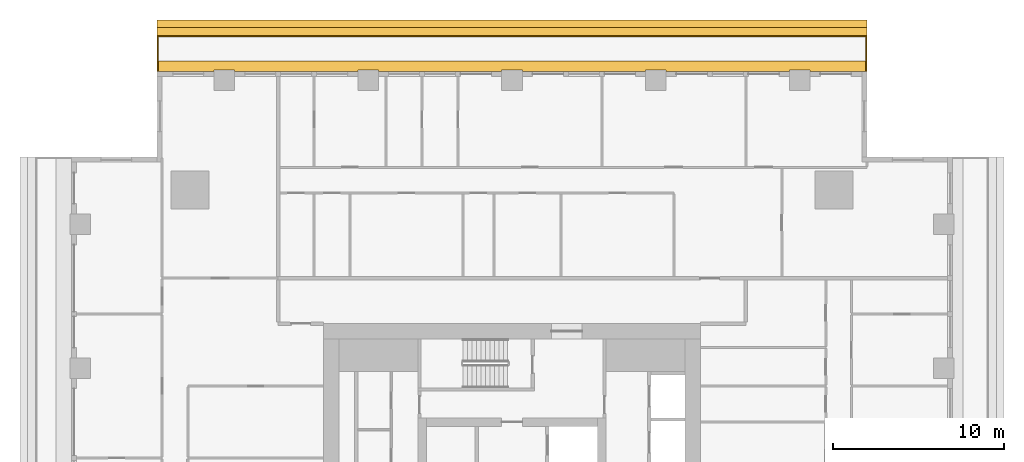
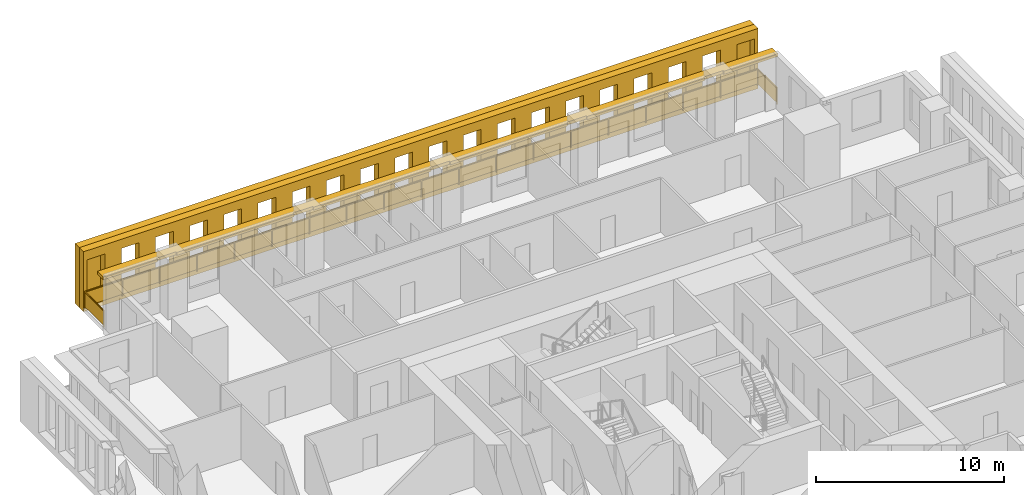
# One storey, part 14 of 14: 3 shading devices, 1 railing.
"""IFC4 building model written with IfcOpenShell, lengths in metres."""

from ifc_helpers import new_model, si_unit, direction, frame, origin, origin_2d, place, context, subcontext, project, spatial, polyline, rectangle, outline, extrude, material, layer, layer_set, type_object, element, save


model = new_model("IFC4")

# Units and contexts
model_context = context("Model", 3, precision=1e-05, world=origin(), true_north=direction((0.0, 1.0)))
body_context = subcontext(model_context, "Body", "Model", "MODEL_VIEW")
ifc_project = project(units=[si_unit("LENGTHUNIT", "METRE"), si_unit("AREAUNIT", "SQUARE_METRE"), si_unit("VOLUMEUNIT", "CUBIC_METRE"), si_unit("PLANEANGLEUNIT", "RADIAN"), si_unit("MASSUNIT", "GRAM", prefix="KILO")], contexts=[model_context])

# Site, building, storey
site_placement = place(None, origin())
site = spatial("IfcSite", under=ifc_project, at=site_placement, CompositionType="ELEMENT")
building_placement = place(site_placement, origin())
building = spatial("IfcBuilding", under=site, at=building_placement, Name="Khepri Terraces", CompositionType="ELEMENT")
storey_placement = place(building_placement, frame((0.0, 0.0, 264.0)))
storey = spatial("IfcBuildingStorey", under=building, at=storey_placement, Name="L63", CompositionType="ELEMENT", Elevation=264.0)

# Railing
ifc_material_1 = material(Name="Stainless steel grade 316", Category="steel")
railing_type = type_object("IfcRailingType", Name="GRD-BAL-1100", PredefinedType="GUARDRAIL", material=ifc_material_1)
railing_placement = place(storey_placement, frame((20.669921875, 25.719970703125, 0.0)))
element("IfcRailing", 1, at=railing_placement, inside=storey, type_object=railing_type, Name="Balcony guard L63 N", PredefinedType="GUARDRAIL", context=body_context, shape_type="SweptSolid", body=[
    extrude(rectangle(XDim=0.050048828125, YDim=0.06005859375, at=origin_2d()), frame((0.0, 0.0, 1.070068359375), z_axis=(0.0, 1.0, 0.0), x_axis=(-1.0, 0.0, 0.0)), (0.0, 0.0, 1.0), 2.050048828125),
    extrude(rectangle(XDim=2.0, YDim=0.011962890625, at=origin_2d()), frame((0.0, 1.02490234375, 0.10009765625), z_axis=(0.0, 0.0, 1.0), x_axis=(0.0, 1.0, 0.0)), (0.0, 0.0, 1.0), 0.93994140625),
    extrude(rectangle(XDim=0.050048828125, YDim=0.06005859375, at=origin_2d()), frame((0.0, 2.050048828125, 1.070068359375), z_axis=(-1.0, 0.0, 0.0), x_axis=(0.0, -1.0, 0.0)), (0.0, 0.0, 1.0), 41.33984375),
    extrude(rectangle(XDim=2.24658203125, YDim=0.011962890625, at=origin_2d()), frame((-1.1484375, 2.050048828125, 0.10009765625), z_axis=(0.0, 0.0, 1.0), x_axis=(-1.0, 0.0, 0.0)), (0.0, 0.0, 1.0), 0.93994140625),
    extrude(rectangle(XDim=2.24658203125, YDim=0.011962890625, at=origin_2d()), frame((-3.445068359375, 2.050048828125, 0.10009765625), z_axis=(0.0, 0.0, 1.0), x_axis=(-1.0, 0.0, 0.0)), (0.0, 0.0, 1.0), 0.93994140625),
    extrude(rectangle(XDim=2.24658203125, YDim=0.011962890625, at=origin_2d()), frame((-5.74169921875, 2.050048828125, 0.10009765625), z_axis=(0.0, 0.0, 1.0), x_axis=(-1.0, 0.0, 0.0)), (0.0, 0.0, 1.0), 0.93994140625),
    extrude(rectangle(XDim=2.24658203125, YDim=0.011962890625, at=origin_2d()), frame((-8.038330078125, 2.050048828125, 0.10009765625), z_axis=(0.0, 0.0, 1.0), x_axis=(-1.0, 0.0, 0.0)), (0.0, 0.0, 1.0), 0.93994140625),
    extrude(rectangle(XDim=2.24658203125, YDim=0.011962890625, at=origin_2d()), frame((-10.3349609375, 2.050048828125, 0.10009765625), z_axis=(0.0, 0.0, 1.0), x_axis=(-1.0, 0.0, 0.0)), (0.0, 0.0, 1.0), 0.93994140625),
    extrude(rectangle(XDim=2.24658203125, YDim=0.011962890625, at=origin_2d()), frame((-12.631591796875, 2.050048828125, 0.10009765625), z_axis=(0.0, 0.0, 1.0), x_axis=(-1.0, 0.0, 0.0)), (0.0, 0.0, 1.0), 0.93994140625),
    extrude(rectangle(XDim=2.24658203125, YDim=0.011962890625, at=origin_2d()), frame((-14.92822265625, 2.050048828125, 0.10009765625), z_axis=(0.0, 0.0, 1.0), x_axis=(-1.0, 0.0, 0.0)), (0.0, 0.0, 1.0), 0.93994140625),
    extrude(rectangle(XDim=2.24658203125, YDim=0.011962890625, at=origin_2d()), frame((-17.224853515625, 2.050048828125, 0.10009765625), z_axis=(0.0, 0.0, 1.0), x_axis=(-1.0, 0.0, 0.0)), (0.0, 0.0, 1.0), 0.93994140625),
    extrude(rectangle(XDim=2.24658203125, YDim=0.011962890625, at=origin_2d()), frame((-19.521484375, 2.050048828125, 0.10009765625), z_axis=(0.0, 0.0, 1.0), x_axis=(-1.0, 0.0, 0.0)), (0.0, 0.0, 1.0), 0.93994140625),
    extrude(rectangle(XDim=2.24658203125, YDim=0.011962890625, at=origin_2d()), frame((-21.818359375, 2.050048828125, 0.10009765625), z_axis=(0.0, 0.0, 1.0), x_axis=(-1.0, 0.0, 0.0)), (0.0, 0.0, 1.0), 0.93994140625),
    extrude(rectangle(XDim=2.24658203125, YDim=0.011962890625, at=origin_2d()), frame((-24.114990234375, 2.050048828125, 0.10009765625), z_axis=(0.0, 0.0, 1.0), x_axis=(-1.0, 0.0, 0.0)), (0.0, 0.0, 1.0), 0.93994140625),
    extrude(rectangle(XDim=2.24658203125, YDim=0.011962890625, at=origin_2d()), frame((-26.41162109375, 2.050048828125, 0.10009765625), z_axis=(0.0, 0.0, 1.0), x_axis=(-1.0, 0.0, 0.0)), (0.0, 0.0, 1.0), 0.93994140625),
    extrude(rectangle(XDim=2.24658203125, YDim=0.011962890625, at=origin_2d()), frame((-28.708251953125, 2.050048828125, 0.10009765625), z_axis=(0.0, 0.0, 1.0), x_axis=(-1.0, 0.0, 0.0)), (0.0, 0.0, 1.0), 0.93994140625),
    extrude(rectangle(XDim=2.24658203125, YDim=0.011962890625, at=origin_2d()), frame((-31.0048828125, 2.050048828125, 0.10009765625), z_axis=(0.0, 0.0, 1.0), x_axis=(-1.0, 0.0, 0.0)), (0.0, 0.0, 1.0), 0.93994140625),
    extrude(rectangle(XDim=2.24658203125, YDim=0.011962890625, at=origin_2d()), frame((-33.301513671875, 2.050048828125, 0.10009765625), z_axis=(0.0, 0.0, 1.0), x_axis=(-1.0, 0.0, 0.0)), (0.0, 0.0, 1.0), 0.93994140625),
    extrude(rectangle(XDim=2.24658203125, YDim=0.011962890625, at=origin_2d()), frame((-35.59814453125, 2.050048828125, 0.10009765625), z_axis=(0.0, 0.0, 1.0), x_axis=(-1.0, 0.0, 0.0)), (0.0, 0.0, 1.0), 0.93994140625),
    extrude(rectangle(XDim=2.24658203125, YDim=0.011962890625, at=origin_2d()), frame((-37.894775390625, 2.050048828125, 0.10009765625), z_axis=(0.0, 0.0, 1.0), x_axis=(-1.0, 0.0, 0.0)), (0.0, 0.0, 1.0), 0.93994140625),
    extrude(rectangle(XDim=2.24658203125, YDim=0.011962890625, at=origin_2d()), frame((-40.19140625, 2.050048828125, 0.10009765625), z_axis=(0.0, 0.0, 1.0), x_axis=(-1.0, 0.0, 0.0)), (0.0, 0.0, 1.0), 0.93994140625),
    extrude(rectangle(XDim=0.050048828125, YDim=0.06005859375, at=origin_2d()), frame((-41.33984375, 2.050048828125, 1.070068359375), z_axis=(0.0, -1.0, 0.0), x_axis=(1.0, 0.0, 0.0)), (0.0, 0.0, 1.0), 2.050048828125),
    extrude(rectangle(XDim=2.0, YDim=0.011962890625, at=origin_2d()), frame((-41.33984375, 1.02490234375, 0.10009765625), z_axis=(0.0, 0.0, 1.0), x_axis=(0.0, -1.0, 0.0)), (0.0, 0.0, 1.0), 0.93994140625),
    extrude(rectangle(XDim=0.050048828125, YDim=0.050048828125, at=origin_2d()), origin(), (0.0, 0.0, 1.0), 1.0400390625),
    extrude(rectangle(XDim=0.050048828125, YDim=0.050048828125, at=origin_2d()), frame((0.0, 2.050048828125, 0.0)), (0.0, 0.0, 1.0), 1.0400390625),
    extrude(rectangle(XDim=0.050048828125, YDim=0.050048828125, at=origin_2d()), frame((-2.296630859375, 2.050048828125, 0.0)), (0.0, 0.0, 1.0), 1.0400390625),
    extrude(rectangle(XDim=0.050048828125, YDim=0.050048828125, at=origin_2d()), frame((-4.59326171875, 2.050048828125, 0.0)), (0.0, 0.0, 1.0), 1.0400390625),
    extrude(rectangle(XDim=0.050048828125, YDim=0.050048828125, at=origin_2d()), frame((-6.889892578125, 2.050048828125, 0.0)), (0.0, 0.0, 1.0), 1.0400390625),
    extrude(rectangle(XDim=0.050048828125, YDim=0.050048828125, at=origin_2d()), frame((-9.1865234375, 2.050048828125, 0.0)), (0.0, 0.0, 1.0), 1.0400390625),
    extrude(rectangle(XDim=0.050048828125, YDim=0.050048828125, at=origin_2d()), frame((-11.4833984375, 2.050048828125, 0.0)), (0.0, 0.0, 1.0), 1.0400390625),
    extrude(rectangle(XDim=0.050048828125, YDim=0.050048828125, at=origin_2d()), frame((-13.780029296875, 2.050048828125, 0.0)), (0.0, 0.0, 1.0), 1.0400390625),
    extrude(rectangle(XDim=0.050048828125, YDim=0.050048828125, at=origin_2d()), frame((-16.07666015625, 2.050048828125, 0.0)), (0.0, 0.0, 1.0), 1.0400390625),
    extrude(rectangle(XDim=0.050048828125, YDim=0.050048828125, at=origin_2d()), frame((-18.373291015625, 2.050048828125, 0.0)), (0.0, 0.0, 1.0), 1.0400390625),
    extrude(rectangle(XDim=0.050048828125, YDim=0.050048828125, at=origin_2d()), frame((-20.669921875, 2.050048828125, 0.0)), (0.0, 0.0, 1.0), 1.0400390625),
    extrude(rectangle(XDim=0.050048828125, YDim=0.050048828125, at=origin_2d()), frame((-22.966552734375, 2.050048828125, 0.0)), (0.0, 0.0, 1.0), 1.0400390625),
    extrude(rectangle(XDim=0.050048828125, YDim=0.050048828125, at=origin_2d()), frame((-25.26318359375, 2.050048828125, 0.0)), (0.0, 0.0, 1.0), 1.0400390625),
    extrude(rectangle(XDim=0.050048828125, YDim=0.050048828125, at=origin_2d()), frame((-27.559814453125, 2.050048828125, 0.0)), (0.0, 0.0, 1.0), 1.0400390625),
    extrude(rectangle(XDim=0.050048828125, YDim=0.050048828125, at=origin_2d()), frame((-29.8564453125, 2.050048828125, 0.0)), (0.0, 0.0, 1.0), 1.0400390625),
    extrude(rectangle(XDim=0.050048828125, YDim=0.050048828125, at=origin_2d()), frame((-32.1533203125, 2.050048828125, 0.0)), (0.0, 0.0, 1.0), 1.0400390625),
    extrude(rectangle(XDim=0.050048828125, YDim=0.050048828125, at=origin_2d()), frame((-34.449951171875, 2.050048828125, 0.0)), (0.0, 0.0, 1.0), 1.0400390625),
    extrude(rectangle(XDim=0.050048828125, YDim=0.050048828125, at=origin_2d()), frame((-36.74658203125, 2.050048828125, 0.0)), (0.0, 0.0, 1.0), 1.0400390625),
    extrude(rectangle(XDim=0.050048828125, YDim=0.050048828125, at=origin_2d()), frame((-39.043212890625, 2.050048828125, 0.0)), (0.0, 0.0, 1.0), 1.0400390625),
    extrude(rectangle(XDim=0.050048828125, YDim=0.050048828125, at=origin_2d()), frame((-41.33984375, 2.050048828125, 0.0)), (0.0, 0.0, 1.0), 1.0400390625),
    extrude(rectangle(XDim=0.050048828125, YDim=0.050048828125, at=origin_2d()), frame((-41.33984375, 0.0, 0.0)), (0.0, 0.0, 1.0), 1.0400390625),
])

# Shading devices
ifc_material_2 = material(Name="Precast concrete C50/60 warm stone", Category="masonry")
shading_device_type_1 = type_object("IfcShadingDeviceType", Name="SCR-CELL-INNER-450", PredefinedType="USERDEFINED", material=ifc_material_2)
shading_device_1_placement = place(storey_placement, frame((20.719970703125, 27.820068359375, -0.25), z_axis=(0.0, 1.0, 0.0), x_axis=(-1.0, 0.0, 0.0)))
element("IfcShadingDevice", 2, at=shading_device_1_placement, inside=storey, type_object=shading_device_type_1, Name="Cell screen L63 N in", ObjectType="SCREEN", PredefinedType="USERDEFINED", context=body_context, shape_type="SweptSolid", body=[
    extrude(outline(polyline([(0.0, 0.0), (41.43994140625, 0.0), (41.43994140625, 3.89990234375), (0.0, 3.89990234375), (0.0, 0.0)]), holes=[polyline([(0.2265625, 0.699951171875), (1.3134765625, 0.699951171875), (1.3134765625, 3.300048828125), (0.2265625, 3.300048828125), (0.2265625, 0.699951171875)]), polyline([(2.32666015625, 0.699951171875), (3.413330078125, 0.699951171875), (3.413330078125, 3.300048828125), (2.32666015625, 3.300048828125), (2.32666015625, 0.699951171875)]), polyline([(4.426513671875, 0.699951171875), (5.513427734375, 0.699951171875), (5.513427734375, 3.300048828125), (4.426513671875, 3.300048828125), (4.426513671875, 0.699951171875)]), polyline([(6.526611328125, 0.699951171875), (7.61328125, 0.699951171875), (7.61328125, 3.300048828125), (6.526611328125, 3.300048828125), (6.526611328125, 0.699951171875)]), polyline([(8.626708984375, 0.699951171875), (9.71337890625, 0.699951171875), (9.71337890625, 3.300048828125), (8.626708984375, 3.300048828125), (8.626708984375, 0.699951171875)]), polyline([(10.7265625, 0.699951171875), (11.8134765625, 0.699951171875), (11.8134765625, 3.300048828125), (10.7265625, 3.300048828125), (10.7265625, 0.699951171875)]), polyline([(12.82666015625, 0.699951171875), (13.913330078125, 0.699951171875), (13.913330078125, 3.300048828125), (12.82666015625, 3.300048828125), (12.82666015625, 0.699951171875)]), polyline([(14.926513671875, 0.699951171875), (16.013427734375, 0.699951171875), (16.013427734375, 3.300048828125), (14.926513671875, 3.300048828125), (14.926513671875, 0.699951171875)]), polyline([(17.026611328125, 0.699951171875), (18.11328125, 0.699951171875), (18.11328125, 3.300048828125), (17.026611328125, 3.300048828125), (17.026611328125, 0.699951171875)]), polyline([(19.126708984375, 0.699951171875), (20.21337890625, 0.699951171875), (20.21337890625, 3.300048828125), (19.126708984375, 3.300048828125), (19.126708984375, 0.699951171875)]), polyline([(21.2265625, 0.699951171875), (22.3134765625, 0.699951171875), (22.3134765625, 3.300048828125), (21.2265625, 3.300048828125), (21.2265625, 0.699951171875)]), polyline([(23.32666015625, 0.699951171875), (24.413330078125, 0.699951171875), (24.413330078125, 3.300048828125), (23.32666015625, 3.300048828125), (23.32666015625, 0.699951171875)]), polyline([(25.426513671875, 0.699951171875), (26.513427734375, 0.699951171875), (26.513427734375, 3.300048828125), (25.426513671875, 3.300048828125), (25.426513671875, 0.699951171875)]), polyline([(27.526611328125, 0.699951171875), (28.61328125, 0.699951171875), (28.61328125, 3.300048828125), (27.526611328125, 3.300048828125), (27.526611328125, 0.699951171875)]), polyline([(29.626708984375, 0.699951171875), (30.71337890625, 0.699951171875), (30.71337890625, 3.300048828125), (29.626708984375, 3.300048828125), (29.626708984375, 0.699951171875)]), polyline([(31.7265625, 0.699951171875), (32.8134765625, 0.699951171875), (32.8134765625, 3.300048828125), (31.7265625, 3.300048828125), (31.7265625, 0.699951171875)]), polyline([(33.82666015625, 0.699951171875), (34.913330078125, 0.699951171875), (34.913330078125, 3.300048828125), (33.82666015625, 3.300048828125), (33.82666015625, 0.699951171875)]), polyline([(35.926513671875, 0.699951171875), (37.013427734375, 0.699951171875), (37.013427734375, 3.300048828125), (35.926513671875, 3.300048828125), (35.926513671875, 0.699951171875)]), polyline([(38.026611328125, 0.699951171875), (39.11328125, 0.699951171875), (39.11328125, 3.300048828125), (38.026611328125, 3.300048828125), (38.026611328125, 0.699951171875)]), polyline([(40.126708984375, 0.699951171875), (41.21337890625, 0.699951171875), (41.21337890625, 3.300048828125), (40.126708984375, 3.300048828125), (40.126708984375, 0.699951171875)])]), origin(), (0.0, 0.0, 1.0), 0.449951171875),
])
shading_device_type_2 = type_object("IfcShadingDeviceType", Name="SCR-CELL-OUTER-450", PredefinedType="USERDEFINED", material=ifc_material_2)
shading_device_2_placement = place(storey_placement, frame((20.719970703125, 28.27001953125, -0.25), z_axis=(0.0, 1.0, 0.0), x_axis=(-1.0, 0.0, 0.0)))
element("IfcShadingDevice", 3, at=shading_device_2_placement, inside=storey, type_object=shading_device_type_2, Name="Cell screen L63 N out", ObjectType="SCREEN", PredefinedType="USERDEFINED", context=body_context, shape_type="SweptSolid", body=[
    extrude(outline(polyline([(0.0, 0.0), (41.43994140625, 0.0), (41.43994140625, 3.89990234375), (0.0, 3.89990234375), (0.0, 0.0)]), holes=[polyline([(1.9765625, 0.449951171875), (3.763427734375, 0.449951171875), (3.763427734375, 3.550048828125), (1.9765625, 3.550048828125), (1.9765625, 0.449951171875)]), polyline([(4.07666015625, 0.449951171875), (5.86328125, 0.449951171875), (5.86328125, 3.550048828125), (4.07666015625, 3.550048828125), (4.07666015625, 0.449951171875)]), polyline([(6.176513671875, 0.449951171875), (7.96337890625, 0.449951171875), (7.96337890625, 3.550048828125), (6.176513671875, 3.550048828125), (6.176513671875, 0.449951171875)]), polyline([(8.276611328125, 0.449951171875), (10.0634765625, 0.449951171875), (10.0634765625, 3.550048828125), (8.276611328125, 3.550048828125), (8.276611328125, 0.449951171875)]), polyline([(10.376708984375, 0.449951171875), (12.163330078125, 0.449951171875), (12.163330078125, 3.550048828125), (10.376708984375, 3.550048828125), (10.376708984375, 0.449951171875)]), polyline([(12.4765625, 0.449951171875), (14.263427734375, 0.449951171875), (14.263427734375, 3.550048828125), (12.4765625, 3.550048828125), (12.4765625, 0.449951171875)]), polyline([(14.57666015625, 0.449951171875), (16.36328125, 0.449951171875), (16.36328125, 3.550048828125), (14.57666015625, 3.550048828125), (14.57666015625, 0.449951171875)]), polyline([(16.676513671875, 0.449951171875), (18.46337890625, 0.449951171875), (18.46337890625, 3.550048828125), (16.676513671875, 3.550048828125), (16.676513671875, 0.449951171875)]), polyline([(18.776611328125, 0.449951171875), (20.5634765625, 0.449951171875), (20.5634765625, 3.550048828125), (18.776611328125, 3.550048828125), (18.776611328125, 0.449951171875)]), polyline([(20.876708984375, 0.449951171875), (22.663330078125, 0.449951171875), (22.663330078125, 3.550048828125), (20.876708984375, 3.550048828125), (20.876708984375, 0.449951171875)]), polyline([(22.9765625, 0.449951171875), (24.763427734375, 0.449951171875), (24.763427734375, 3.550048828125), (22.9765625, 3.550048828125), (22.9765625, 0.449951171875)]), polyline([(25.07666015625, 0.449951171875), (26.86328125, 0.449951171875), (26.86328125, 3.550048828125), (25.07666015625, 3.550048828125), (25.07666015625, 0.449951171875)]), polyline([(27.176513671875, 0.449951171875), (28.96337890625, 0.449951171875), (28.96337890625, 3.550048828125), (27.176513671875, 3.550048828125), (27.176513671875, 0.449951171875)]), polyline([(29.276611328125, 0.449951171875), (31.0634765625, 0.449951171875), (31.0634765625, 3.550048828125), (29.276611328125, 3.550048828125), (29.276611328125, 0.449951171875)]), polyline([(31.376708984375, 0.449951171875), (33.163330078125, 0.449951171875), (33.163330078125, 3.550048828125), (31.376708984375, 3.550048828125), (31.376708984375, 0.449951171875)]), polyline([(33.4765625, 0.449951171875), (35.263427734375, 0.449951171875), (35.263427734375, 3.550048828125), (33.4765625, 3.550048828125), (33.4765625, 0.449951171875)]), polyline([(35.57666015625, 0.449951171875), (37.36328125, 0.449951171875), (37.36328125, 3.550048828125), (35.57666015625, 3.550048828125), (35.57666015625, 0.449951171875)]), polyline([(37.676513671875, 0.449951171875), (39.46337890625, 0.449951171875), (39.46337890625, 3.550048828125), (37.676513671875, 3.550048828125), (37.676513671875, 0.449951171875)])]), origin(), (0.0, 0.0, 1.0), 0.449951171875),
])
ifc_layer = layer(ifc_material_2, 0.199951171875, Name="Precast concrete C50/60 warm stone", Category="masonry")
ifc_layer_set = layer_set([ifc_layer], Name="Precast concrete C50/60 warm stone")
shading_device_type_3 = type_object("IfcShadingDeviceType", Name="SSH-BAND-STONE-200-N", PredefinedType="USERDEFINED", material=ifc_layer_set)
shading_device_3_placement = place(storey_placement, frame((0.0, 0.0, 3.10009765625)))
element("IfcShadingDevice", 4, at=shading_device_3_placement, inside=storey, type_object=shading_device_type_3, Name="Sunshade band L63 N", ObjectType="SUNSHADE", PredefinedType="USERDEFINED", context=body_context, shape_type="SweptSolid", body=[
    extrude(outline(polyline([(17.39990234375, 25.719970703125), (20.719970703125, 25.719970703125), (20.719970703125, 26.320068359375), (-20.719970703125, 26.320068359375), (-20.719970703125, 25.719970703125), (-17.39990234375, 25.719970703125), (-17.39990234375, 25.800048828125), (-16.199951171875, 25.800048828125), (-16.199951171875, 25.719970703125), (-9.0, 25.719970703125), (-9.0, 25.800048828125), (-7.800048828125, 25.800048828125), (-7.800048828125, 25.719970703125), (-0.60009765625, 25.719970703125), (-0.60009765625, 25.800048828125), (0.60009765625, 25.800048828125), (0.60009765625, 25.719970703125), (7.800048828125, 25.719970703125), (7.800048828125, 25.800048828125), (9.0, 25.800048828125), (9.0, 25.719970703125), (16.199951171875, 25.719970703125), (16.199951171875, 25.800048828125), (17.39990234375, 25.800048828125), (17.39990234375, 25.719970703125)])), origin(), (0.0, 0.0, 1.0), 0.199951171875),
])

save(model, "model.ifc")
